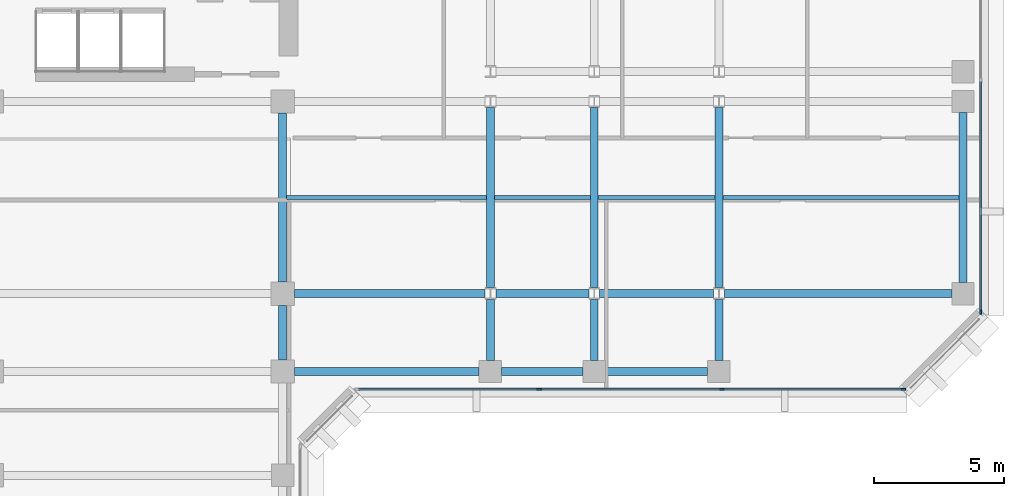
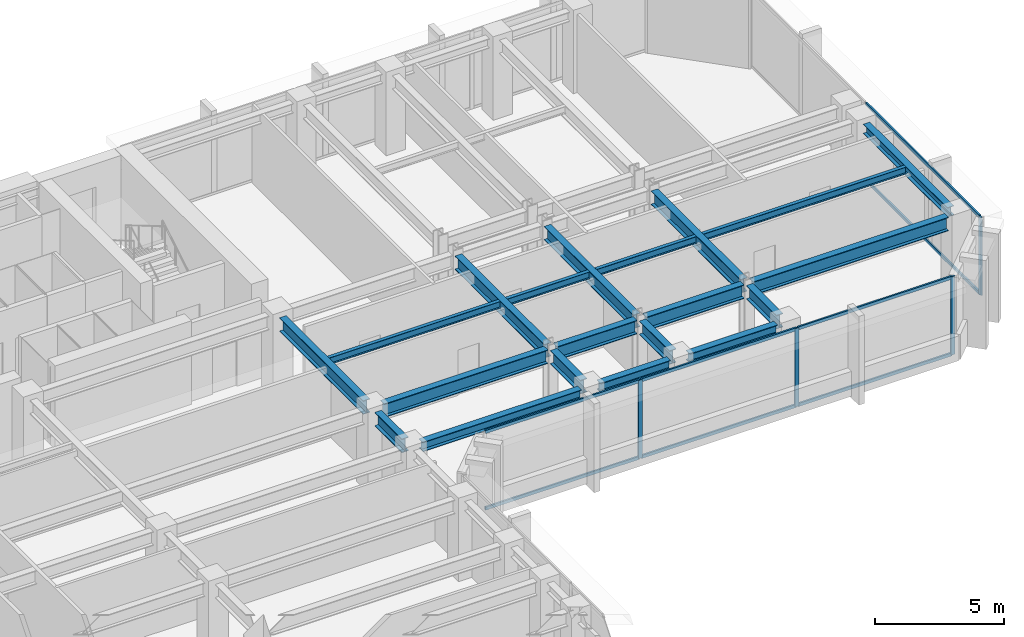
# One storey, part 3 of 11: 20 beams, 12 members, 2 elements without a shape of their own.
"""IFC4 building model written with IfcOpenShell, lengths in metres."""

from ifc_helpers import new_model, si_unit, direction, frame, origin, origin_2d, place, context, subcontext, project, spatial, rectangle, i_section, extrude, material, layer, layer_set, material_profile, profile_set, type_object, element, aggregate, save


model = new_model("IFC4")

# Units and contexts
model_context = context("Model", 3, precision=1e-05, world=origin(), true_north=direction((0.0, 1.0)))
body_context = subcontext(model_context, "Body", "Model", "MODEL_VIEW")
ifc_project = project(units=[si_unit("LENGTHUNIT", "METRE"), si_unit("AREAUNIT", "SQUARE_METRE"), si_unit("VOLUMEUNIT", "CUBIC_METRE"), si_unit("PLANEANGLEUNIT", "RADIAN"), si_unit("MASSUNIT", "GRAM", prefix="KILO")], contexts=[model_context])

# Site, building, storey
site_placement = place(None, origin())
site = spatial("IfcSite", under=ifc_project, at=site_placement, CompositionType="ELEMENT")
building_placement = place(site_placement, origin())
building = spatial("IfcBuilding", under=site, at=building_placement, Name="Kefirva Bronze Tower", CompositionType="ELEMENT")
storey_placement = place(building_placement, frame((0.0, 0.0, 138.929931640625)))
storey = spatial("IfcBuildingStorey", under=building, at=storey_placement, Name="L33", CompositionType="ELEMENT", Elevation=138.929931640625)

# Curtain wall, members
ifc_material_1 = material(Name="Bronze anodised aluminium", Category="aluminium")
ifc_layer = layer(ifc_material_1, 0.199951171875, Name="Bronze anodised aluminium")
ifc_layer_set = layer_set([ifc_layer], Name="Bronze anodised aluminium")
curtain_wall_type = type_object("IfcCurtainWallType", Name="Unitised Bronze Ribbon Curtain Wall Zone 2", PredefinedType="USERDEFINED", material=ifc_layer_set)
curtain_wall_1_placement = place(storey_placement, origin())
curtain_wall_1 = element("IfcCurtainWall", 1, at=curtain_wall_1_placement, inside=storey, type_object=curtain_wall_type, Name="L33 Curtain Wall 3", ObjectType="UNITISED CURTAIN WALL", PredefinedType="USERDEFINED")
ifc_material_profile_1 = material_profile(ifc_material_1, rectangle(XDim=0.074951171875, YDim=0.179931640625, at=origin_2d()), Name="ALU 75x180")
ifc_profile_set_1 = profile_set([ifc_material_profile_1], Name="Bronze anodised aluminium")
member_type_1 = type_object("IfcMemberType", Name="Bronze Mullion 75x180", PredefinedType="MULLION", material=ifc_profile_set_1)
member_1_placement = place(storey_placement, frame((33.0849609375, 22.1201171875, 0.0), z_axis=(0.0, 0.0, 1.0), x_axis=(0.0, 1.0, 0.0)))
member_1 = element("IfcMember", 2, at=member_1_placement, type_object=member_type_1, Name="CW-02 mullion 2", PredefinedType="MULLION", context=body_context, shape_type="SweptSolid", body=[
    extrude(rectangle(XDim=0.074951171875, YDim=0.179931640625, at=origin_2d()), origin(), (0.0, 0.0, 1.0), 3.7099609375),
])
member_2_placement = place(storey_placement, frame((40.114990234375, 22.1201171875, 0.0), z_axis=(0.0, 0.0, 1.0), x_axis=(0.0, 1.0, 0.0)))
member_2 = element("IfcMember", 3, at=member_2_placement, type_object=member_type_1, Name="CW-02 mullion 3", PredefinedType="MULLION", context=body_context, shape_type="SweptSolid", body=[
    extrude(rectangle(XDim=0.074951171875, YDim=0.179931640625, at=origin_2d()), origin(), (0.0, 0.0, 1.0), 3.7099609375),
])
member_3_placement = place(storey_placement, frame((47.107421875, 22.1201171875, 0.0), z_axis=(0.0, 0.0, 1.0), x_axis=(0.0, 1.0, 0.0)))
member_3 = element("IfcMember", 4, at=member_3_placement, type_object=member_type_1, Name="CW-02 mullion 4", PredefinedType="MULLION", context=body_context, shape_type="SweptSolid", body=[
    extrude(rectangle(XDim=0.074951171875, YDim=0.179931640625, at=origin_2d()), origin(), (0.0, 0.0, 1.0), 3.7099609375),
])

# Curtain wall, member
curtain_wall_2_placement = place(storey_placement, origin())
curtain_wall_2 = element("IfcCurtainWall", 5, at=curtain_wall_2_placement, inside=storey, type_object=curtain_wall_type, Name="L33 Curtain Wall 4", ObjectType="UNITISED CURTAIN WALL", PredefinedType="USERDEFINED")
member_4_placement = place(storey_placement, frame((50.080078125, 25.092529296875, 0.0), z_axis=(0.0, 0.0, 1.0), x_axis=(-1.0, 0.0, 0.0)))
member_4 = element("IfcMember", 6, at=member_4_placement, type_object=member_type_1, Name="CW-02 mullion 1", PredefinedType="MULLION", context=body_context, shape_type="SweptSolid", body=[
    extrude(rectangle(XDim=0.074951171875, YDim=0.179931640625, at=origin_2d()), origin(), (0.0, 0.0, 1.0), 3.7099609375),
])

# Member
ifc_material_profile_2 = material_profile(ifc_material_1, rectangle(XDim=0.074951171875, YDim=0.14990234375, at=origin_2d()), Name="ALU 75x150")
ifc_profile_set_2 = profile_set([ifc_material_profile_2], Name="Bronze anodised aluminium")
member_type_2 = type_object("IfcMemberType", Name="Bronze Transom 75x150", PredefinedType="USERDEFINED", material=ifc_profile_set_2)
member_5_placement = place(storey_placement, frame((26.1298828125, 22.1201171875, 0.03759765625), z_axis=(1.0, 0.0, 0.0), x_axis=(0.0, 1.0, 0.0)))
member_5 = element("IfcMember", 7, at=member_5_placement, type_object=member_type_2, Name="CW-02 transom 1.1", ObjectType="TRANSOM", PredefinedType="USERDEFINED", context=body_context, shape_type="SweptSolid", body=[
    extrude(rectangle(XDim=0.074951171875, YDim=0.14990234375, at=origin_2d()), origin(), (0.0, 0.0, 1.0), 6.917724609375),
])

member_6_placement = place(storey_placement, frame((26.1298828125, 22.1201171875, 3.672607421875), z_axis=(1.0, 0.0, 0.0), x_axis=(0.0, 1.0, 0.0)))
member_6 = element("IfcMember", 8, at=member_6_placement, type_object=member_type_2, Name="CW-02 transom 1.2", ObjectType="TRANSOM", PredefinedType="USERDEFINED", context=body_context, shape_type="SweptSolid", body=[
    extrude(rectangle(XDim=0.074951171875, YDim=0.14990234375, at=origin_2d()), origin(), (0.0, 0.0, 1.0), 6.917724609375),
])

member_7_placement = place(storey_placement, frame((33.12255859375, 22.1201171875, 0.03759765625), z_axis=(1.0, 0.0, 0.0), x_axis=(0.0, 1.0, 0.0)))
member_7 = element("IfcMember", 9, at=member_7_placement, type_object=member_type_2, Name="CW-02 transom 2.1", ObjectType="TRANSOM", PredefinedType="USERDEFINED", context=body_context, shape_type="SweptSolid", body=[
    extrude(rectangle(XDim=0.074951171875, YDim=0.14990234375, at=origin_2d()), origin(), (0.0, 0.0, 1.0), 6.954833984375),
])

member_8_placement = place(storey_placement, frame((33.12255859375, 22.1201171875, 3.672607421875), z_axis=(1.0, 0.0, 0.0), x_axis=(0.0, 1.0, 0.0)))
member_8 = element("IfcMember", 10, at=member_8_placement, type_object=member_type_2, Name="CW-02 transom 2.2", ObjectType="TRANSOM", PredefinedType="USERDEFINED", context=body_context, shape_type="SweptSolid", body=[
    extrude(rectangle(XDim=0.074951171875, YDim=0.14990234375, at=origin_2d()), origin(), (0.0, 0.0, 1.0), 6.954833984375),
])

member_9_placement = place(storey_placement, frame((40.152587890625, 22.1201171875, 0.03759765625), z_axis=(1.0, 0.0, 0.0), x_axis=(0.0, 1.0, 0.0)))
member_9 = element("IfcMember", 11, at=member_9_placement, type_object=member_type_2, Name="CW-02 transom 3.1", ObjectType="TRANSOM", PredefinedType="USERDEFINED", context=body_context, shape_type="SweptSolid", body=[
    extrude(rectangle(XDim=0.074951171875, YDim=0.14990234375, at=origin_2d()), origin(), (0.0, 0.0, 1.0), 6.91748046875),
])

member_10_placement = place(storey_placement, frame((40.152587890625, 22.1201171875, 3.672607421875), z_axis=(1.0, 0.0, 0.0), x_axis=(0.0, 1.0, 0.0)))
member_10 = element("IfcMember", 12, at=member_10_placement, type_object=member_type_2, Name="CW-02 transom 3.2", ObjectType="TRANSOM", PredefinedType="USERDEFINED", context=body_context, shape_type="SweptSolid", body=[
    extrude(rectangle(XDim=0.074951171875, YDim=0.14990234375, at=origin_2d()), origin(), (0.0, 0.0, 1.0), 6.91748046875),
])

aggregate(curtain_wall_1, [member_1, member_2, member_3, member_5, member_6, member_7, member_8, member_9, member_10])

member_11_placement = place(storey_placement, frame((50.080078125, 25.1298828125, 0.03759765625), z_axis=(0.0, 1.0, 0.0), x_axis=(-1.0, 0.0, 0.0)))
member_11 = element("IfcMember", 13, at=member_11_placement, type_object=member_type_2, Name="CW-02 transom 1.1", ObjectType="TRANSOM", PredefinedType="USERDEFINED", context=body_context, shape_type="SweptSolid", body=[
    extrude(rectangle(XDim=0.074951171875, YDim=0.14990234375, at=origin_2d()), origin(), (0.0, 0.0, 1.0), 8.83251953125),
])

member_12_placement = place(storey_placement, frame((50.080078125, 25.1298828125, 3.672607421875), z_axis=(0.0, 1.0, 0.0), x_axis=(-1.0, 0.0, 0.0)))
member_12 = element("IfcMember", 14, at=member_12_placement, type_object=member_type_2, Name="CW-02 transom 1.2", ObjectType="TRANSOM", PredefinedType="USERDEFINED", context=body_context, shape_type="SweptSolid", body=[
    extrude(rectangle(XDim=0.074951171875, YDim=0.14990234375, at=origin_2d()), origin(), (0.0, 0.0, 1.0), 8.83251953125),
])

aggregate(curtain_wall_2, [member_4, member_11, member_12])

# Beams
ifc_material_2 = material(Name="Steel S355", Category="steel")
ifc_material_profile_3 = material_profile(ifc_material_2, i_section(OverallWidth=0.159912109375, OverallDepth=0.330078125, WebThickness=0.007568359375, FlangeThickness=0.011474609375, at=origin_2d()), Name="IPE 330")
ifc_profile_set_3 = profile_set([ifc_material_profile_3], Name="Steel S355")
beam_type_1 = type_object("IfcBeamType", Name="Steel Floor Joist IPE 330", PredefinedType="JOIST", material=ifc_profile_set_3)
beam_1_placement = place(storey_placement, frame((23.35009765625, 29.5, 3.545166015625), z_axis=(1.0, 0.0, 0.0), x_axis=(0.0, 1.0, 0.0)))
element("IfcBeam", 15, at=beam_1_placement, inside=storey, type_object=beam_type_1, Name="L33 JST-L33-23-295", PredefinedType="JOIST", context=body_context, shape_type="SweptSolid", body=[
    extrude(i_section(OverallWidth=0.159912109375, OverallDepth=0.330078125, WebThickness=0.007568359375, FlangeThickness=0.011474609375, at=origin_2d()), origin(), (0.0, 0.0, 1.0), 7.699951171875),
])
beam_2_placement = place(storey_placement, frame((31.35009765625, 29.5, 3.545166015625), z_axis=(1.0, 0.0, 0.0), x_axis=(0.0, 1.0, 0.0)))
element("IfcBeam", 16, at=beam_2_placement, inside=storey, type_object=beam_type_1, Name="L33 JST-L33-31-295", PredefinedType="JOIST", context=body_context, shape_type="SweptSolid", body=[
    extrude(i_section(OverallWidth=0.159912109375, OverallDepth=0.330078125, WebThickness=0.007568359375, FlangeThickness=0.011474609375, at=origin_2d()), origin(), (0.0, 0.0, 1.0), 3.699951171875),
])
beam_3_placement = place(storey_placement, frame((35.35009765625, 29.5, 3.545166015625), z_axis=(1.0, 0.0, 0.0), x_axis=(0.0, 1.0, 0.0)))
element("IfcBeam", 17, at=beam_3_placement, inside=storey, type_object=beam_type_1, Name="L33 JST-L33-35-295", PredefinedType="JOIST", context=body_context, shape_type="SweptSolid", body=[
    extrude(i_section(OverallWidth=0.159912109375, OverallDepth=0.330078125, WebThickness=0.007568359375, FlangeThickness=0.011474609375, at=origin_2d()), origin(), (0.0, 0.0, 1.0), 4.5),
])
beam_4_placement = place(storey_placement, frame((40.14990234375, 29.5, 3.545166015625), z_axis=(1.0, 0.0, 0.0), x_axis=(0.0, 1.0, 0.0)))
element("IfcBeam", 18, at=beam_4_placement, inside=storey, type_object=beam_type_1, Name="L33 JST-L33-40-295", PredefinedType="JOIST", context=body_context, shape_type="SweptSolid", body=[
    extrude(i_section(OverallWidth=0.159912109375, OverallDepth=0.330078125, WebThickness=0.007568359375, FlangeThickness=0.011474609375, at=origin_2d()), origin(), (0.0, 0.0, 1.0), 9.10009765625),
])
ifc_material_profile_4 = material_profile(ifc_material_2, i_section(OverallWidth=0.300048828125, OverallDepth=0.64990234375, WebThickness=0.01611328125, FlangeThickness=0.031005859375, at=origin_2d()), Name="HEB 650")
ifc_profile_set_4 = profile_set([ifc_material_profile_4], Name="Steel S355")
beam_type_2 = type_object("IfcBeamType", Name="Steel Girder HEB 650", PredefinedType="USERDEFINED", material=ifc_profile_set_4)
beam_5_placement = place(storey_placement, frame((23.64990234375, 25.800048828125, 3.385009765625), z_axis=(1.0, 0.0, 0.0), x_axis=(0.0, 1.0, 0.0)))
element("IfcBeam", 19, at=beam_5_placement, inside=storey, type_object=beam_type_2, Name="L33 BM-L33-EW-23-258", ObjectType="GIRDER", PredefinedType="USERDEFINED", context=body_context, shape_type="SweptSolid", body=[
    extrude(i_section(OverallWidth=0.300048828125, OverallDepth=0.64990234375, WebThickness=0.01611328125, FlangeThickness=0.031005859375, at=origin_2d()), origin(), (0.0, 0.0, 1.0), 7.341064453125),
])
beam_6_placement = place(storey_placement, frame((31.408935546875, 25.800048828125, 3.385009765625), z_axis=(1.0, 0.0, 0.0), x_axis=(0.0, 1.0, 0.0)))
element("IfcBeam", 20, at=beam_6_placement, inside=storey, type_object=beam_type_2, Name="L33 BM-L33-EW-31-258", ObjectType="GIRDER", PredefinedType="USERDEFINED", context=body_context, shape_type="SweptSolid", body=[
    extrude(i_section(OverallWidth=0.300048828125, OverallDepth=0.64990234375, WebThickness=0.01611328125, FlangeThickness=0.031005859375, at=origin_2d()), origin(), (0.0, 0.0, 1.0), 3.58203125),
])
beam_7_placement = place(storey_placement, frame((35.408935546875, 25.800048828125, 3.385009765625), z_axis=(1.0, 0.0, 0.0), x_axis=(0.0, 1.0, 0.0)))
element("IfcBeam", 21, at=beam_7_placement, inside=storey, type_object=beam_type_2, Name="L33 BM-L33-EW-35-258", ObjectType="GIRDER", PredefinedType="USERDEFINED", context=body_context, shape_type="SweptSolid", body=[
    extrude(i_section(OverallWidth=0.300048828125, OverallDepth=0.64990234375, WebThickness=0.01611328125, FlangeThickness=0.031005859375, at=origin_2d()), origin(), (0.0, 0.0, 1.0), 4.382080078125),
])
beam_8_placement = place(storey_placement, frame((40.208984375, 25.800048828125, 3.385009765625), z_axis=(1.0, 0.0, 0.0), x_axis=(0.0, 1.0, 0.0)))
element("IfcBeam", 22, at=beam_8_placement, inside=storey, type_object=beam_type_2, Name="L33 BM-L33-EW-40-258", ObjectType="GIRDER", PredefinedType="USERDEFINED", context=body_context, shape_type="SweptSolid", body=[
    extrude(i_section(OverallWidth=0.300048828125, OverallDepth=0.64990234375, WebThickness=0.01611328125, FlangeThickness=0.031005859375, at=origin_2d()), origin(), (0.0, 0.0, 1.0), 8.760986328125),
])
beam_9_placement = place(storey_placement, frame((23.199951171875, 23.25, 3.385009765625), z_axis=(0.0, 1.0, 0.0), x_axis=(-1.0, 0.0, 0.0)))
element("IfcBeam", 23, at=beam_9_placement, inside=storey, type_object=beam_type_2, Name="L33 BM-L33-NS-232-22", ObjectType="GIRDER", PredefinedType="USERDEFINED", context=body_context, shape_type="SweptSolid", body=[
    extrude(i_section(OverallWidth=0.300048828125, OverallDepth=0.64990234375, WebThickness=0.01611328125, FlangeThickness=0.031005859375, at=origin_2d()), origin(), (0.0, 0.0, 1.0), 2.10009765625),
])
beam_10_placement = place(storey_placement, frame((23.199951171875, 26.25, 3.385009765625), z_axis=(0.0, 1.0, 0.0), x_axis=(-1.0, 0.0, 0.0)))
element("IfcBeam", 24, at=beam_10_placement, inside=storey, type_object=beam_type_2, Name="L33 BM-L33-NS-232-25", ObjectType="GIRDER", PredefinedType="USERDEFINED", context=body_context, shape_type="SweptSolid", body=[
    extrude(i_section(OverallWidth=0.300048828125, OverallDepth=0.64990234375, WebThickness=0.01611328125, FlangeThickness=0.031005859375, at=origin_2d()), origin(), (0.0, 0.0, 1.0), 6.5),
])
beam_11_placement = place(storey_placement, frame((31.199951171875, 23.22998046875, 3.385009765625), z_axis=(0.0, 1.0, 0.0), x_axis=(-1.0, 0.0, 0.0)))
element("IfcBeam", 25, at=beam_11_placement, inside=storey, type_object=beam_type_2, Name="L33 BM-L33-NS-312-22", ObjectType="GIRDER", PredefinedType="USERDEFINED", context=body_context, shape_type="SweptSolid", body=[
    extrude(i_section(OverallWidth=0.300048828125, OverallDepth=0.64990234375, WebThickness=0.01611328125, FlangeThickness=0.031005859375, at=origin_2d()), origin(), (0.0, 0.0, 1.0), 2.342529296875),
])
beam_12_placement = place(storey_placement, frame((31.199951171875, 26.027587890625, 3.385009765625), z_axis=(0.0, 1.0, 0.0), x_axis=(-1.0, 0.0, 0.0)))
element("IfcBeam", 26, at=beam_12_placement, inside=storey, type_object=beam_type_2, Name="L33 BM-L33-NS-312-25", ObjectType="GIRDER", PredefinedType="USERDEFINED", context=body_context, shape_type="SweptSolid", body=[
    extrude(i_section(OverallWidth=0.300048828125, OverallDepth=0.64990234375, WebThickness=0.01611328125, FlangeThickness=0.031005859375, at=origin_2d()), origin(), (0.0, 0.0, 1.0), 6.94482421875),
])
beam_13_placement = place(storey_placement, frame((35.199951171875, 23.22998046875, 3.385009765625), z_axis=(0.0, 1.0, 0.0), x_axis=(-1.0, 0.0, 0.0)))
element("IfcBeam", 27, at=beam_13_placement, inside=storey, type_object=beam_type_2, Name="L33 BM-L33-NS-352-22", ObjectType="GIRDER", PredefinedType="USERDEFINED", context=body_context, shape_type="SweptSolid", body=[
    extrude(i_section(OverallWidth=0.300048828125, OverallDepth=0.64990234375, WebThickness=0.01611328125, FlangeThickness=0.031005859375, at=origin_2d()), origin(), (0.0, 0.0, 1.0), 2.342529296875),
])
beam_14_placement = place(storey_placement, frame((35.199951171875, 26.027587890625, 3.385009765625), z_axis=(0.0, 1.0, 0.0), x_axis=(-1.0, 0.0, 0.0)))
element("IfcBeam", 28, at=beam_14_placement, inside=storey, type_object=beam_type_2, Name="L33 BM-L33-NS-352-25", ObjectType="GIRDER", PredefinedType="USERDEFINED", context=body_context, shape_type="SweptSolid", body=[
    extrude(i_section(OverallWidth=0.300048828125, OverallDepth=0.64990234375, WebThickness=0.01611328125, FlangeThickness=0.031005859375, at=origin_2d()), origin(), (0.0, 0.0, 1.0), 6.94482421875),
])
beam_15_placement = place(storey_placement, frame((40.0, 23.22998046875, 3.385009765625), z_axis=(0.0, 1.0, 0.0), x_axis=(-1.0, 0.0, 0.0)))
element("IfcBeam", 29, at=beam_15_placement, inside=storey, type_object=beam_type_2, Name="L33 BM-L33-NS-400-22", ObjectType="GIRDER", PredefinedType="USERDEFINED", context=body_context, shape_type="SweptSolid", body=[
    extrude(i_section(OverallWidth=0.300048828125, OverallDepth=0.64990234375, WebThickness=0.01611328125, FlangeThickness=0.031005859375, at=origin_2d()), origin(), (0.0, 0.0, 1.0), 2.342529296875),
])
beam_16_placement = place(storey_placement, frame((40.0, 26.027587890625, 3.385009765625), z_axis=(0.0, 1.0, 0.0), x_axis=(-1.0, 0.0, 0.0)))
element("IfcBeam", 30, at=beam_16_placement, inside=storey, type_object=beam_type_2, Name="L33 BM-L33-NS-400-25", ObjectType="GIRDER", PredefinedType="USERDEFINED", context=body_context, shape_type="SweptSolid", body=[
    extrude(i_section(OverallWidth=0.300048828125, OverallDepth=0.64990234375, WebThickness=0.01611328125, FlangeThickness=0.031005859375, at=origin_2d()), origin(), (0.0, 0.0, 1.0), 6.94482421875),
])
ifc_material_profile_5 = material_profile(ifc_material_2, i_section(OverallWidth=0.300048828125, OverallDepth=0.449951171875, WebThickness=0.013916015625, FlangeThickness=0.02587890625, at=origin_2d()), Name="HEB 450")
ifc_profile_set_5 = profile_set([ifc_material_profile_5], Name="Steel S355")
beam_type_3 = type_object("IfcBeamType", Name="Steel Spandrel HEB 450 Ext", PredefinedType="SPANDREL", material=ifc_profile_set_5)
beam_17_placement = place(storey_placement, frame((23.64990234375, 22.800048828125, 3.485107421875), z_axis=(1.0, 0.0, 0.0), x_axis=(0.0, 1.0, 0.0)))
element("IfcBeam", 31, at=beam_17_placement, inside=storey, type_object=beam_type_3, Name="L33 BM-L33-EW-23-228", PredefinedType="SPANDREL", context=body_context, shape_type="SweptSolid", body=[
    extrude(i_section(OverallWidth=0.300048828125, OverallDepth=0.449951171875, WebThickness=0.013916015625, FlangeThickness=0.02587890625, at=origin_2d()), origin(), (0.0, 0.0, 1.0), 7.1201171875),
])
beam_18_placement = place(storey_placement, frame((31.6298828125, 22.800048828125, 3.485107421875), z_axis=(1.0, 0.0, 0.0), x_axis=(0.0, 1.0, 0.0)))
element("IfcBeam", 32, at=beam_18_placement, inside=storey, type_object=beam_type_3, Name="L33 BM-L33-EW-31-228", PredefinedType="SPANDREL", context=body_context, shape_type="SweptSolid", body=[
    extrude(i_section(OverallWidth=0.300048828125, OverallDepth=0.449951171875, WebThickness=0.013916015625, FlangeThickness=0.02587890625, at=origin_2d()), origin(), (0.0, 0.0, 1.0), 3.14013671875),
])
beam_19_placement = place(storey_placement, frame((35.6298828125, 22.800048828125, 3.485107421875), z_axis=(1.0, 0.0, 0.0), x_axis=(0.0, 1.0, 0.0)))
element("IfcBeam", 33, at=beam_19_placement, inside=storey, type_object=beam_type_3, Name="L33 BM-L33-EW-35-228", PredefinedType="SPANDREL", context=body_context, shape_type="SweptSolid", body=[
    extrude(i_section(OverallWidth=0.300048828125, OverallDepth=0.449951171875, WebThickness=0.013916015625, FlangeThickness=0.02587890625, at=origin_2d()), origin(), (0.0, 0.0, 1.0), 3.940185546875),
])
beam_20_placement = place(storey_placement, frame((49.39990234375, 26.22998046875, 3.485107421875), z_axis=(0.0, 1.0, 0.0), x_axis=(-1.0, 0.0, 0.0)))
element("IfcBeam", 34, at=beam_20_placement, inside=storey, type_object=beam_type_3, Name="L33 BM-L33-NS-494-25", PredefinedType="SPANDREL", context=body_context, shape_type="SweptSolid", body=[
    extrude(i_section(OverallWidth=0.300048828125, OverallDepth=0.449951171875, WebThickness=0.013916015625, FlangeThickness=0.02587890625, at=origin_2d()), origin(), (0.0, 0.0, 1.0), 6.5400390625),
])

save(model, "model.ifc")
